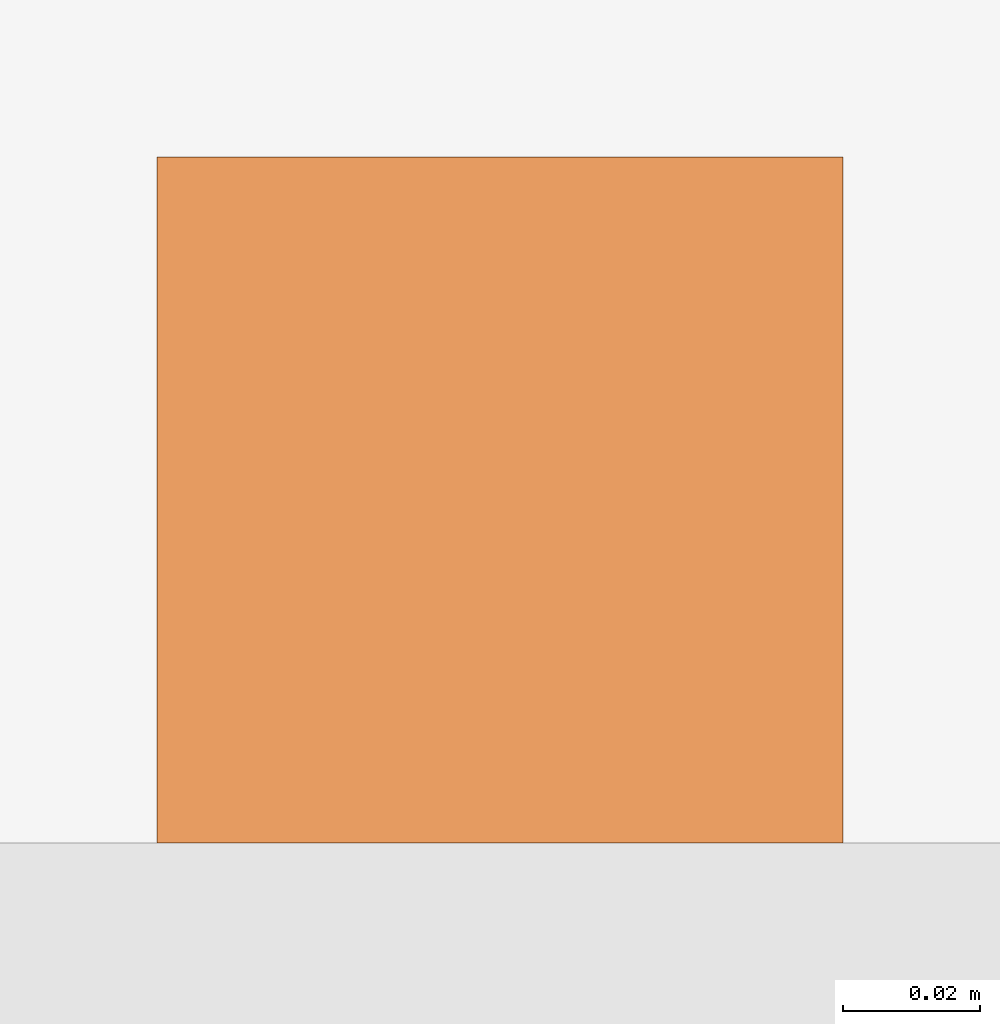
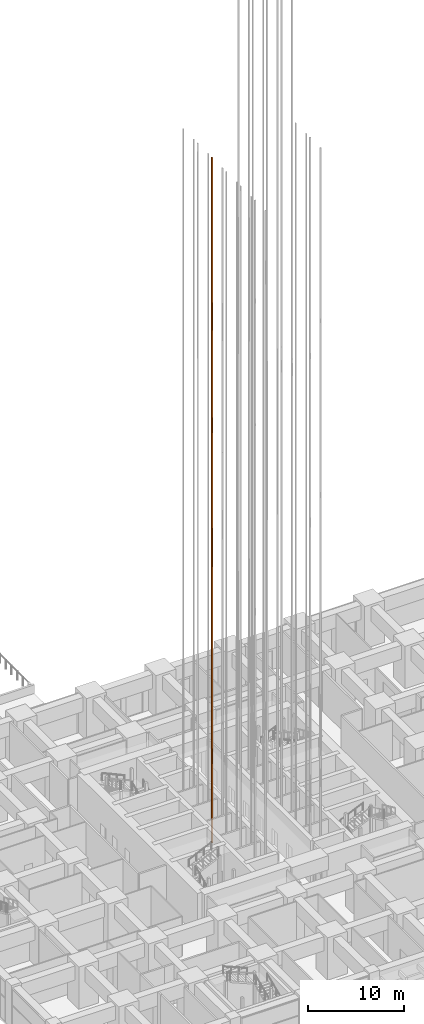
# One storey, part 69 of 81: 1 proxy.
"""IFC4 building model written with IfcOpenShell, lengths in metres."""

from ifc_helpers import new_model, si_unit, direction, frame, origin, origin_2d, place, context, subcontext, project, spatial, rectangle, extrude, material, type_object, element, save


model = new_model("IFC4")

# Units and contexts
model_context = context("Model", 3, precision=1e-05, world=origin(), true_north=direction((0.0, 1.0)))
body_context = subcontext(model_context, "Body", "Model", "MODEL_VIEW")
ifc_project = project(units=[si_unit("LENGTHUNIT", "METRE"), si_unit("AREAUNIT", "SQUARE_METRE"), si_unit("VOLUMEUNIT", "CUBIC_METRE"), si_unit("PLANEANGLEUNIT", "RADIAN"), si_unit("MASSUNIT", "GRAM", prefix="KILO")], contexts=[model_context])

# Site, building, storey
site_placement = place(None, origin())
site = spatial("IfcSite", under=ifc_project, at=site_placement, CompositionType="ELEMENT")
building_placement = place(site_placement, origin())
building = spatial("IfcBuilding", under=site, at=building_placement, Name="Rekha Terrace Tower", CompositionType="ELEMENT")
storey_placement = place(building_placement, origin())
storey = spatial("IfcBuildingStorey", under=building, at=storey_placement, Name="L00", CompositionType="ELEMENT", Elevation=0.0)

# Proxy
ifc_material = material(Name="Steel guide rail", Category="steel")
building_element_proxy_type = type_object("IfcBuildingElementProxyType", Name="LR1 100 lift guide rail", PredefinedType="ELEMENT", material=ifc_material)
proxy_placement = place(storey_placement, frame((34.5, 35.0, 0.0), z_axis=(0.0, 0.0, 1.0), x_axis=(1.0, 0.0, 0.0)))
element("IfcBuildingElementProxy", 1, at=proxy_placement, inside=storey, type_object=building_element_proxy_type, Name="Lift A4 guide rail 2", PredefinedType="ELEMENT", context=body_context, shape_type="SweptSolid", body=[
    extrude(rectangle(XDim=0.10009765625, YDim=0.10009765625, at=origin_2d()), origin(), (0.0, 0.0, 1.0), 87.5),
])

save(model, "model.ifc")
